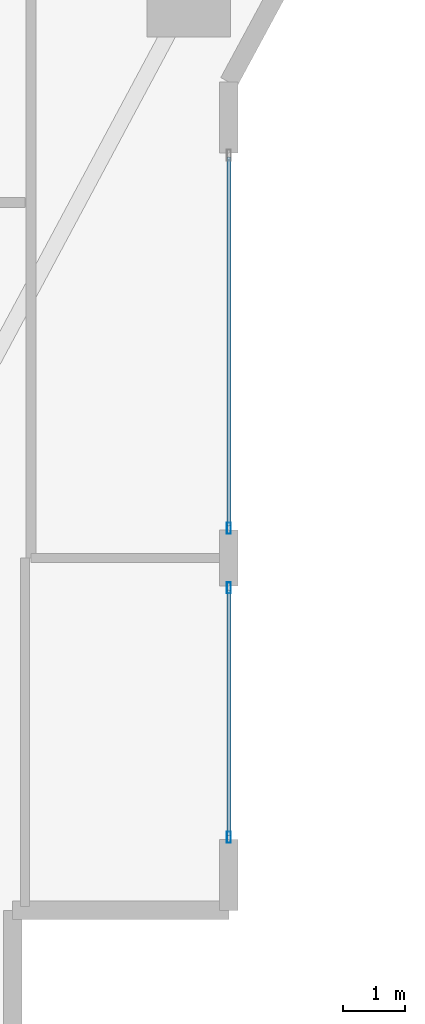
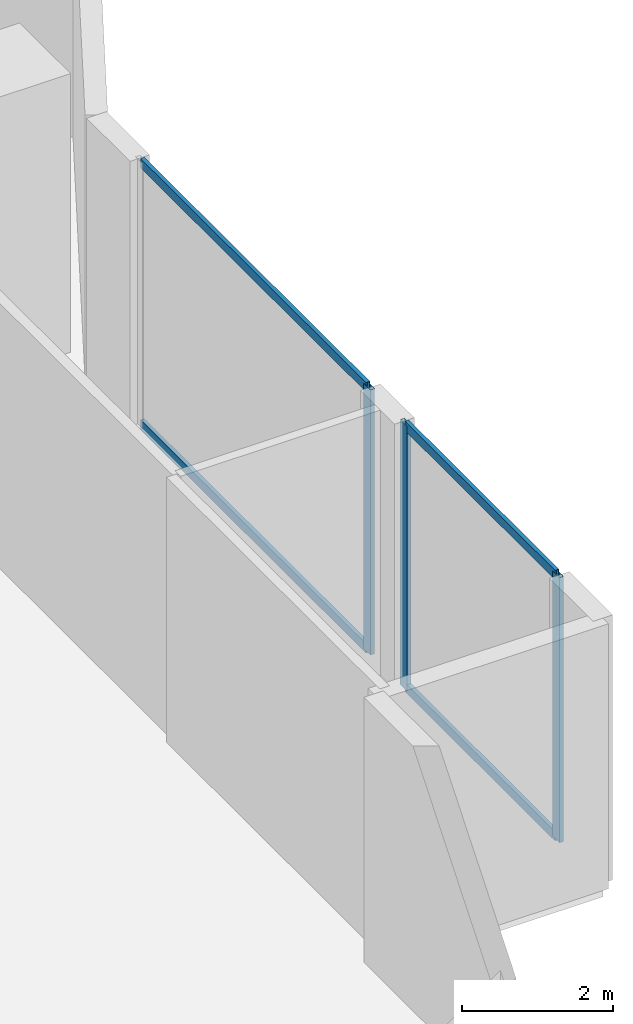
# One storey, part 14 of 33: 7 members, 2 elements without a shape of their own.
"""IFC4 building model written with IfcOpenShell, lengths in metres."""

from ifc_helpers import new_model, si_unit, direction, frame, origin, origin_2d, place, context, subcontext, project, spatial, hollow_rectangle, extrude, material, layer, layer_set, material_profile, profile_set, type_object, element, aggregate, save


model = new_model("IFC4")

# Units and contexts
model_context = context("Model", 3, precision=1e-05, world=origin(), true_north=direction((0.0, 1.0)))
body_context = subcontext(model_context, "Body", "Model", "MODEL_VIEW")
ifc_project = project(units=[si_unit("LENGTHUNIT", "METRE"), si_unit("AREAUNIT", "SQUARE_METRE"), si_unit("VOLUMEUNIT", "CUBIC_METRE"), si_unit("PLANEANGLEUNIT", "RADIAN"), si_unit("MASSUNIT", "GRAM", prefix="KILO")], contexts=[model_context])

# Site, building, storey
site_placement = place(None, origin())
site = spatial("IfcSite", under=ifc_project, at=site_placement, CompositionType="ELEMENT")
building_placement = place(site_placement, origin())
building = spatial("IfcBuilding", under=site, at=building_placement, Name="Zuhayl Quay Hotel", CompositionType="ELEMENT")
storey_placement = place(building_placement, frame((0.0, 0.0, 154.050048828125)))
storey = spatial("IfcBuildingStorey", under=building, at=storey_placement, Name="L39", CompositionType="ELEMENT", Elevation=154.050048828125)

# Curtain wall, member
ifc_material_1 = material(Name="Anodised Aluminium 6063-T6", Category="aluminium")
ifc_layer = layer(ifc_material_1, 0.179931640625, Name="Anodised Aluminium 6063-T6", Category="aluminium")
ifc_layer_set = layer_set([ifc_layer], Name="Anodised Aluminium 6063-T6")
curtain_wall_type = type_object("IfcCurtainWallType", Name="CW_SYS_Z2", PredefinedType="USERDEFINED", material=ifc_layer_set)
curtain_wall_1_placement = place(storey_placement, origin())
curtain_wall_1 = element("IfcCurtainWall", 1, at=curtain_wall_1_placement, inside=storey, type_object=curtain_wall_type, Name="L39 Curtain Wall ENV_L39_E14_CW1", ObjectType="UNITISED CURTAIN WALL", PredefinedType="USERDEFINED")
ifc_material_2 = material(Name="Black-anodised aluminium 6063-T6", Category="aluminium")
ifc_material_profile_1 = material_profile(ifc_material_2, hollow_rectangle(XDim=0.06494140625, YDim=0.179931640625, WallThickness=0.00341796875, at=origin_2d()), Name="ALU180X65")
ifc_profile_set_1 = profile_set([ifc_material_profile_1], Name="Black-anodised aluminium 6063-T6")
member_type_1 = type_object("IfcMemberType", Name="MB_CW_MUL_180", PredefinedType="MULLION", material=ifc_profile_set_1)
member_1_placement = place(storey_placement, frame((23.89990234375, -5.717529296875, 0.0), z_axis=(0.0, 0.0, 1.0), x_axis=(1.0, 0.0, 0.0)))
member_1 = element("IfcMember", 2, at=member_1_placement, type_object=member_type_1, Name="CW-Z2 mullion 2", PredefinedType="MULLION", context=body_context, shape_type="SweptSolid", body=[
    extrude(hollow_rectangle(XDim=0.06494140625, YDim=0.179931640625, WallThickness=0.00341796875, at=origin_2d()), origin(), (0.0, 0.0, 1.0), 4.280029296875),
])

# Curtain wall, members
curtain_wall_2_placement = place(storey_placement, origin())
curtain_wall_2 = element("IfcCurtainWall", 3, at=curtain_wall_2_placement, inside=storey, type_object=curtain_wall_type, Name="L39 Curtain Wall ENV_L39_E14_CW2", ObjectType="UNITISED CURTAIN WALL", PredefinedType="USERDEFINED")
member_2_placement = place(storey_placement, frame((23.89990234375, -6.6826171875, 0.0), z_axis=(0.0, 0.0, 1.0), x_axis=(1.0, 0.0, 0.0)))
member_2 = element("IfcMember", 4, at=member_2_placement, type_object=member_type_1, Name="CW-Z2 mullion 1", PredefinedType="MULLION", context=body_context, shape_type="SweptSolid", body=[
    extrude(hollow_rectangle(XDim=0.06494140625, YDim=0.179931640625, WallThickness=0.00341796875, at=origin_2d()), origin(), (0.0, 0.0, 1.0), 4.280029296875),
])
member_3_placement = place(storey_placement, frame((23.89990234375, -10.717529296875, 0.0), z_axis=(0.0, 0.0, 1.0), x_axis=(1.0, 0.0, 0.0)))
member_3 = element("IfcMember", 5, at=member_3_placement, type_object=member_type_1, Name="CW-Z2 mullion 2", PredefinedType="MULLION", context=body_context, shape_type="SweptSolid", body=[
    extrude(hollow_rectangle(XDim=0.06494140625, YDim=0.179931640625, WallThickness=0.00341796875, at=origin_2d()), origin(), (0.0, 0.0, 1.0), 4.280029296875),
])

# Member
ifc_material_profile_2 = material_profile(ifc_material_2, hollow_rectangle(XDim=0.06005859375, YDim=0.14990234375, WallThickness=0.00341796875, at=origin_2d()), Name="ALU150X60")
ifc_profile_set_2 = profile_set([ifc_material_profile_2], Name="Black-anodised aluminium 6063-T6")
member_type_2 = type_object("IfcMemberType", Name="MB_CW_TRN_150", PredefinedType="USERDEFINED", material=ifc_profile_set_2)
member_4_placement = place(storey_placement, frame((23.89990234375, 0.284912109375, 0.030029296875), z_axis=(0.0, -1.0, 0.0), x_axis=(1.0, 0.0, 0.0)))
member_4 = element("IfcMember", 6, at=member_4_placement, type_object=member_type_2, Name="CW-Z2 transom 1.1", ObjectType="TRANSOM", PredefinedType="USERDEFINED", context=body_context, shape_type="SweptSolid", body=[
    extrude(hollow_rectangle(XDim=0.06005859375, YDim=0.14990234375, WallThickness=0.00341796875, at=origin_2d()), origin(), (0.0, 0.0, 1.0), 5.969970703125),
])

member_5_placement = place(storey_placement, frame((23.89990234375, 0.284912109375, 4.25), z_axis=(0.0, -1.0, 0.0), x_axis=(1.0, 0.0, 0.0)))
member_5 = element("IfcMember", 7, at=member_5_placement, type_object=member_type_2, Name="CW-Z2 transom 1.2", ObjectType="TRANSOM", PredefinedType="USERDEFINED", context=body_context, shape_type="SweptSolid", body=[
    extrude(hollow_rectangle(XDim=0.06005859375, YDim=0.14990234375, WallThickness=0.00341796875, at=origin_2d()), origin(), (0.0, 0.0, 1.0), 5.969970703125),
])

aggregate(curtain_wall_1, [member_1, member_4, member_5])

member_6_placement = place(storey_placement, frame((23.89990234375, -6.715087890625, 0.030029296875), z_axis=(0.0, -1.0, 0.0), x_axis=(1.0, 0.0, 0.0)))
member_6 = element("IfcMember", 8, at=member_6_placement, type_object=member_type_2, Name="CW-Z2 transom 1.1", ObjectType="TRANSOM", PredefinedType="USERDEFINED", context=body_context, shape_type="SweptSolid", body=[
    extrude(hollow_rectangle(XDim=0.06005859375, YDim=0.14990234375, WallThickness=0.00341796875, at=origin_2d()), origin(), (0.0, 0.0, 1.0), 3.969970703125),
])

member_7_placement = place(storey_placement, frame((23.89990234375, -6.715087890625, 4.25), z_axis=(0.0, -1.0, 0.0), x_axis=(1.0, 0.0, 0.0)))
member_7 = element("IfcMember", 9, at=member_7_placement, type_object=member_type_2, Name="CW-Z2 transom 1.2", ObjectType="TRANSOM", PredefinedType="USERDEFINED", context=body_context, shape_type="SweptSolid", body=[
    extrude(hollow_rectangle(XDim=0.06005859375, YDim=0.14990234375, WallThickness=0.00341796875, at=origin_2d()), origin(), (0.0, 0.0, 1.0), 3.969970703125),
])

aggregate(curtain_wall_2, [member_2, member_3, member_6, member_7])

save(model, "model.ifc")
